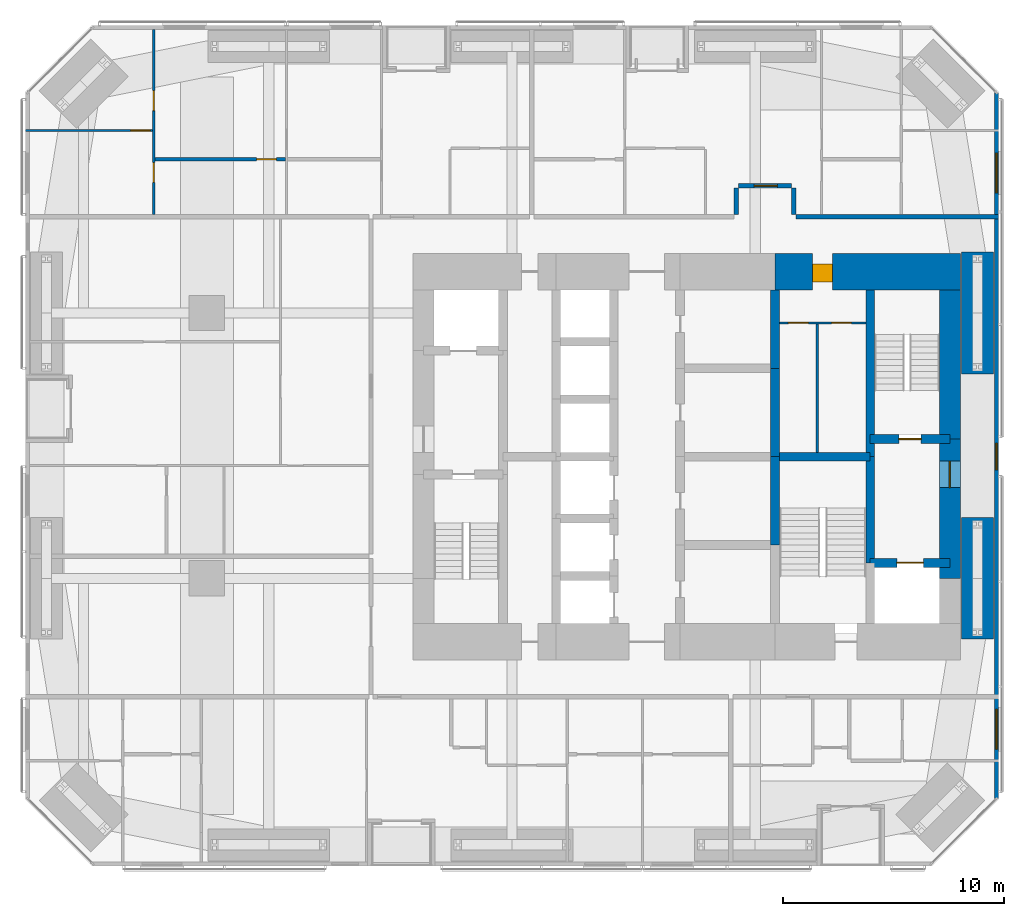
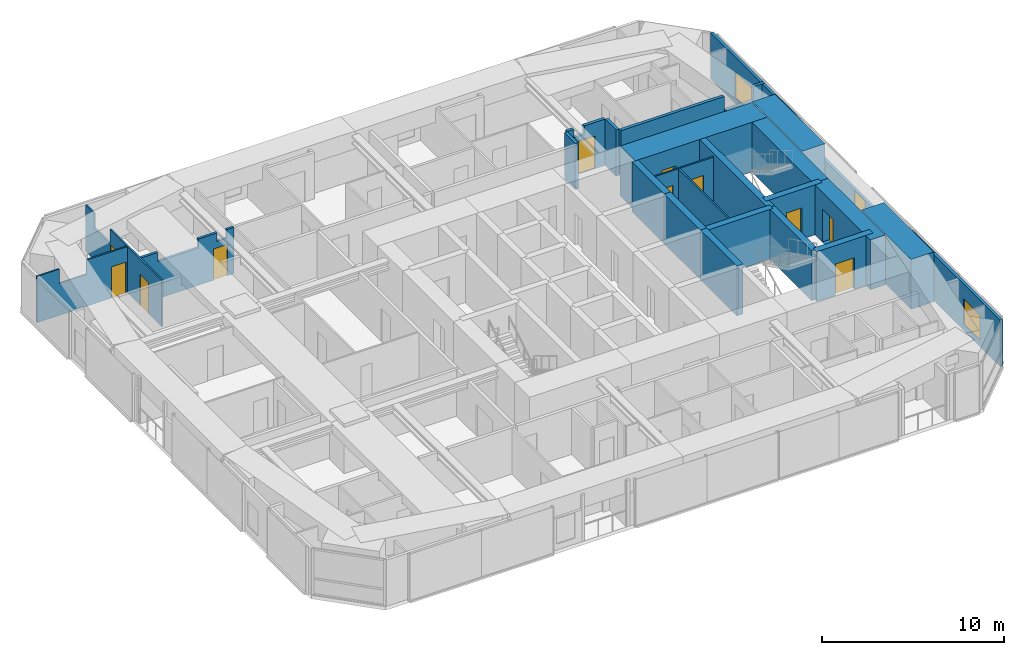
# One storey, part 19 of 22: 23 walls, 11 doors, 3 windows, 14 openings.
"""IFC4 building model written with IfcOpenShell, lengths in metres."""

from ifc_helpers import new_model, si_unit, direction, frame, frame_2d, origin, place, context, subcontext, project, spatial, polyline, rectangle, outline, extrude, material, layer, layer_set, constituent, constituent_set, type_object, element, fill, save


model = new_model("IFC4")

# Units and contexts
model_context = context("Model", 3, precision=1e-05, world=origin(), true_north=direction((0.0, 1.0)))
body_context = subcontext(model_context, "Body", "Model", "MODEL_VIEW")
ifc_project = project(units=[si_unit("LENGTHUNIT", "METRE"), si_unit("AREAUNIT", "SQUARE_METRE"), si_unit("VOLUMEUNIT", "CUBIC_METRE"), si_unit("PLANEANGLEUNIT", "RADIAN"), si_unit("MASSUNIT", "GRAM", prefix="KILO")], contexts=[model_context])

# Site, building, storey
site_placement = place(None, origin())
site = spatial("IfcSite", under=ifc_project, at=site_placement, CompositionType="ELEMENT")
building_placement = place(site_placement, origin())
building = spatial("IfcBuilding", under=site, at=building_placement, Name="Jalousie Tower", CompositionType="ELEMENT")
storey_placement = place(building_placement, frame((0.0, 0.0, 64.550048828125)))
storey = spatial("IfcBuildingStorey", under=building, at=storey_placement, Name="L17", CompositionType="ELEMENT", Elevation=64.550048828125)

# Wall, opening, door
ifc_material_1 = material(Name="Concrete block ASTM C90", Category="concrete")
ifc_constituent_1 = constituent(ifc_material_1, Name="Body")
ifc_material_2 = material(Name="Render")
ifc_constituent_2 = constituent(ifc_material_2, Name="Finish")
ifc_constituent_set_1 = constituent_set(constituents=[ifc_constituent_1, ifc_constituent_2])
wall_type_1 = type_object("IfcWallType", Name="BATHROOM WALL 150", PredefinedType="PLUMBINGWALL", material=ifc_constituent_set_1)
wall_1_placement = place(storey_placement, frame((7.85009765625, 31.949951171875, 0.0), z_axis=(0.0, 0.0, 1.0), x_axis=(1.0, 0.0, 0.0)))
wall_1 = element("IfcWall", 1, at=wall_1_placement, inside=storey, type_object=wall_type_1, Name="Bathroom Wall 150 L17", PredefinedType="PLUMBINGWALL", context=body_context, shape_type="SweptSolid", body=[
    extrude(outline(polyline([(0.0, 0.0), (5.89990234375, 0.0), (5.89990234375, 3.10986328125), (5.46240234375, 3.10986328125), (5.46240234375, 2.541015625), (4.837646484375, 2.541015625), (4.837646484375, 3.10986328125), (3.635009765625, 3.10986328125), (3.635009765625, 2.510009765625), (1.06494140625, 2.510009765625), (1.06494140625, 3.10986328125), (0.0, 3.10986328125), (0.0, 0.0)])), frame((0.0, 0.074951171875, 0.0), z_axis=(0.0, -1.0, 0.0), x_axis=(1.0, 0.0, 0.0)), (0.0, 0.0, 1.0), 0.14990234375),
])
opening_1_placement = place(wall_1_placement, frame((4.60009765625, 0.0, 0.0)))
opening_1 = element("IfcOpeningElement", 2, at=opening_1_placement, cuts=wall_1, Name="Opening D3", PredefinedType="OPENING", context=body_context, shape_type="SweptSolid", body=[
    extrude(rectangle(XDim=0.89990234375, YDim=2.10009765625, at=frame_2d((0.449951171875, 1.050048828125))), frame((0.0, 0.0849609375, 0.0), z_axis=(0.0, -1.0, 0.0), x_axis=(1.0, 0.0, 0.0)), (0.0, 0.0, 1.0), 0.169921875),
])
ifc_material_3 = material(Name="Timber door", Category="wood")
door_type_1 = type_object("IfcDoorType", Name="BATHROOM DOOR 900", OperationType="SINGLE_SWING_LEFT", PredefinedType="DOOR", material=ifc_material_3)
door_1_placement = place(opening_1_placement, frame((0.89990234375, 0.0, 0.0), z_axis=(0.0, 0.0, 1.0), x_axis=(-1.0, 0.0, 0.0)))
door_1 = element("IfcDoor", 3, at=door_1_placement, inside=storey, type_object=door_type_1, Name="Apartment 1703 bedroom 2 bathroom door", OperationType="SINGLE_SWING_LEFT", OverallHeight=2.10009765625, OverallWidth=0.89990234375, PredefinedType="DOOR", context=body_context, shape_type="SweptSolid", body=[
    extrude(rectangle(XDim=0.89990234375, YDim=2.10009765625, at=frame_2d((0.449951171875, 1.050048828125))), frame((0.0, 0.02490234375, 0.0), z_axis=(0.0, -1.0, 0.0), x_axis=(1.0, 0.0, 0.0)), (0.0, 0.0, 1.0), 0.050048828125),
])
fill(opening_1, door_1)

ifc_material_4 = material(Name="Concrete f'c 120 MPa", Category="concrete")
ifc_layer_1 = layer(ifc_material_4, 1.64990234375)
ifc_layer_set_1 = layer_set([ifc_layer_1], Name="Concrete f'c 120 MPa")
wall_type_2 = type_object("IfcWallType", Name="CORE WALL 1650", PredefinedType="SHEAR", material=ifc_layer_set_1)
wall_2_placement = place(storey_placement, frame((44.27490234375, 26.875, 0.0), z_axis=(0.0, 0.0, 1.0), x_axis=(-1.0, 0.0, 0.0)))
wall_2 = element("IfcWall", 4, at=wall_2_placement, inside=storey, type_object=wall_type_2, Name="Core wall NA L17", PredefinedType="SHEAR", context=body_context, shape_type="SweptSolid", body=[
    extrude(rectangle(XDim=8.375, YDim=1.64990234375, at=frame_2d((4.1875, 0.0))), origin(), (0.0, 0.0, 1.0), 3.349853515625),
])
opening_2_placement = place(wall_2_placement, frame((5.77490234375, 0.0, 0.0)))
opening_2 = element("IfcOpeningElement", 5, at=opening_2_placement, cuts=wall_2, Name="Opening D25", PredefinedType="OPENING", context=body_context, shape_type="SweptSolid", body=[
    extrude(rectangle(XDim=0.89990234375, YDim=2.10009765625, at=frame_2d((0.449951171875, 1.050048828125))), frame((0.0, 0.8349609375, 0.0), z_axis=(0.0, -1.0, 0.0), x_axis=(1.0, 0.0, 0.0)), (0.0, 0.0, 1.0), 1.669921875),
])
ifc_material_5 = material(Name="Steel fire door", Category="steel")
door_type_2 = type_object("IfcDoorType", Name="SERVICE LOBBY DOOR 900", OperationType="SINGLE_SWING_LEFT", PredefinedType="DOOR", material=ifc_material_5)
door_2_placement = place(opening_2_placement, origin())
door_2 = element("IfcDoor", 6, at=door_2_placement, inside=storey, type_object=door_type_2, Name="Service lobby door", OperationType="SINGLE_SWING_RIGHT", OverallHeight=2.10009765625, OverallWidth=0.89990234375, PredefinedType="DOOR", context=body_context, shape_type="SweptSolid", body=[
    extrude(rectangle(XDim=0.89990234375, YDim=2.10009765625, at=frame_2d((0.449951171875, 1.050048828125))), frame((0.0, 0.47021484375, 0.0), z_axis=(0.0, -1.0, 0.0), x_axis=(1.0, 0.0, 0.0)), (0.0, 0.0, 1.0), 0.800048828125),
])
fill(opening_2, door_2)

# Walls
ifc_material_6 = material(Name="Concrete f'c 120 MPa", Category="concrete")
ifc_layer_2 = layer(ifc_material_6, 0.39990234375)
ifc_layer_set_2 = layer_set([ifc_layer_2], Name="Concrete f'c 120 MPa")
wall_type_3 = type_object("IfcWallType", Name="CORE WALL 400", PredefinedType="SHEAR", material=ifc_layer_set_2)
for number, where, z_axis, x_axis, name in (
    (7, (35.89990234375, 14.5, 0.0), (0.0, 0.0, 1.0), (0.0, 1.0, 0.0), "Core wall X35.9B L17"),
    (8, (35.89990234375, 18.5, 0.0), (0.0, 0.0, 1.0), (0.0, 1.0, 0.0), "Core wall X35.9C L17"),
):
    element("IfcWall", number, at=place(storey_placement, frame(where, z_axis=z_axis, x_axis=x_axis)), inside=storey, type_object=wall_type_3, Name=name, PredefinedType="SHEAR", context=body_context, shape_type="SweptSolid", body=[
        extrude(rectangle(XDim=4.0, YDim=0.39990234375, at=frame_2d((2.0, 0.0))), origin(), (0.0, 0.0, 1.0), 3.349853515625),
    ])
wall_3_placement = place(storey_placement, frame((35.89990234375, 22.5, 0.0), z_axis=(0.0, 0.0, 1.0), x_axis=(0.0, 1.0, 0.0)))
element("IfcWall", 9, at=wall_3_placement, inside=storey, type_object=wall_type_3, Name="Core wall X35.9D L17", PredefinedType="SHEAR", context=body_context, shape_type="SweptSolid", body=[
    extrude(rectangle(XDim=3.550048828125, YDim=0.39990234375, at=frame_2d((1.77490234375, 0.0))), origin(), (0.0, 0.0, 1.0), 3.349853515625),
])
wall_4_placement = place(storey_placement, frame((40.199951171875, 13.699951171875, 0.0), z_axis=(0.0, 0.0, 1.0), x_axis=(0.0, 1.0, 0.0)))
element("IfcWall", 10, at=wall_4_placement, inside=storey, type_object=wall_type_3, Name="Core wall X40.2B L17", PredefinedType="SHEAR", context=body_context, shape_type="SweptSolid", body=[
    extrude(rectangle(XDim=4.800048828125, YDim=0.39990234375, at=frame_2d((2.39990234375, 0.0))), origin(), (0.0, 0.0, 1.0), 3.349853515625),
])
wall_5_placement = place(storey_placement, frame((40.199951171875, 18.5, 0.0), z_axis=(0.0, 0.0, 1.0), x_axis=(0.0, 1.0, 0.0)))
element("IfcWall", 11, at=wall_5_placement, inside=storey, type_object=wall_type_3, Name="Core wall X40.2C L17", PredefinedType="SHEAR", context=body_context, shape_type="SweptSolid", body=[
    extrude(rectangle(XDim=7.550048828125, YDim=0.39990234375, at=frame_2d((3.77490234375, 0.0))), origin(), (0.0, 0.0, 1.0), 3.349853515625),
])
wall_6_placement = place(storey_placement, frame((35.89990234375, 18.5, 0.0), z_axis=(0.0, 0.0, 1.0), x_axis=(1.0, 0.0, 0.0)))
element("IfcWall", 12, at=wall_6_placement, inside=storey, type_object=wall_type_3, Name="Core wall Y35.9-18.5 L17", PredefinedType="SHEAR", context=body_context, shape_type="SweptSolid", body=[
    extrude(rectangle(XDim=4.300048828125, YDim=0.39990234375, at=frame_2d((2.14990234375, 0.0))), origin(), (0.0, 0.0, 1.0), 3.349853515625),
])

# Wall, opening, door
wall_7_placement = place(storey_placement, frame((40.199951171875, 13.699951171875, 0.0), z_axis=(0.0, 0.0, 1.0), x_axis=(1.0, 0.0, 0.0)))
wall_7 = element("IfcWall", 13, at=wall_7_placement, inside=storey, type_object=wall_type_3, Name="Core wall Y40.2-13.7 L17", PredefinedType="SHEAR", context=body_context, shape_type="SweptSolid", body=[
    extrude(rectangle(XDim=3.60009765625, YDim=0.39990234375, at=frame_2d((1.800048828125, 0.0))), origin(), (0.0, 0.0, 1.0), 3.349853515625),
])
opening_3_placement = place(wall_7_placement, frame((1.199951171875, 0.0, 0.0)))
opening_3 = element("IfcOpeningElement", 14, at=opening_3_placement, cuts=wall_7, Name="Opening LD2", PredefinedType="OPENING", context=body_context, shape_type="SweptSolid", body=[
    extrude(rectangle(XDim=1.199951171875, YDim=2.10009765625, at=frame_2d((0.60009765625, 1.050048828125))), frame((0.0, 0.2099609375, 0.0), z_axis=(0.0, -1.0, 0.0), x_axis=(1.0, 0.0, 0.0)), (0.0, 0.0, 1.0), 0.419921875),
])
ifc_material_7 = material(Name="Steel lift landing door", Category="steel")
door_type_3 = type_object("IfcDoorType", Name="LIFT LANDING DOOR 1200", OperationType="SLIDING_TO_LEFT", PredefinedType="DOOR", material=ifc_material_7)
door_3_placement = place(opening_3_placement, origin())
door_3 = element("IfcDoor", 15, at=door_3_placement, inside=storey, type_object=door_type_3, Name="Lift F2 landing door", OperationType="SLIDING_TO_LEFT", OverallHeight=2.10009765625, OverallWidth=1.199951171875, PredefinedType="DOOR", context=body_context, shape_type="SweptSolid", body=[
    extrude(rectangle(XDim=1.199951171875, YDim=2.10009765625, at=frame_2d((0.60009765625, 1.050048828125))), frame((0.0, 0.02490234375, 0.0), z_axis=(0.0, -1.0, 0.0), x_axis=(1.0, 0.0, 0.0)), (0.0, 0.0, 1.0), 0.050048828125),
])
fill(opening_3, door_3)

wall_8_placement = place(storey_placement, frame((40.199951171875, 19.300048828125, 0.0), z_axis=(0.0, 0.0, 1.0), x_axis=(1.0, 0.0, 0.0)))
wall_8 = element("IfcWall", 16, at=wall_8_placement, inside=storey, type_object=wall_type_3, Name="Core wall Y40.2-19.3 L17", PredefinedType="SHEAR", context=body_context, shape_type="SweptSolid", body=[
    extrude(rectangle(XDim=3.60009765625, YDim=0.39990234375, at=frame_2d((1.800048828125, 0.0))), origin(), (0.0, 0.0, 1.0), 3.349853515625),
])
opening_4_placement = place(wall_8_placement, frame((1.300048828125, 0.0, 0.0)))
opening_4 = element("IfcOpeningElement", 17, at=opening_4_placement, cuts=wall_8, Name="Opening D10", PredefinedType="OPENING", context=body_context, shape_type="SweptSolid", body=[
    extrude(rectangle(XDim=1.0, YDim=2.10009765625, at=frame_2d((0.5, 1.050048828125))), frame((0.0, 0.2099609375, 0.0), z_axis=(0.0, -1.0, 0.0), x_axis=(1.0, 0.0, 0.0)), (0.0, 0.0, 1.0), 0.419921875),
])
ifc_material_8 = material(Name="Steel fire door", Category="steel")
door_type_4 = type_object("IfcDoorType", Name="STAIR DOOR 1000", OperationType="SINGLE_SWING_LEFT", PredefinedType="DOOR", material=ifc_material_8)
door_4_placement = place(opening_4_placement, origin())
door_4 = element("IfcDoor", 18, at=door_4_placement, inside=storey, type_object=door_type_4, Name="Exit stair B door", OperationType="SINGLE_SWING_RIGHT", OverallHeight=2.10009765625, OverallWidth=1.0, PredefinedType="DOOR", context=body_context, shape_type="SweptSolid", body=[
    extrude(rectangle(XDim=1.0, YDim=2.10009765625, at=frame_2d((0.5, 1.050048828125))), frame((0.0, 0.02490234375, 0.0), z_axis=(0.0, -1.0, 0.0), x_axis=(1.0, 0.0, 0.0)), (0.0, 0.0, 1.0), 0.050048828125),
])
fill(opening_4, door_4)

ifc_material_9 = material(Name="Concrete f'c 120 MPa", Category="concrete")
ifc_layer_3 = layer(ifc_material_9, 0.949951171875)
ifc_layer_set_3 = layer_set([ifc_layer_3], Name="Concrete f'c 120 MPa")
wall_type_4 = type_object("IfcWallType", Name="CORE WALL 950", PredefinedType="SHEAR", material=ifc_layer_set_3)
wall_9_placement = place(storey_placement, frame((43.800048828125, 13.0, 0.0), z_axis=(0.0, 0.0, 1.0), x_axis=(0.0, 1.0, 0.0)))
wall_9 = element("IfcWall", 19, at=wall_9_placement, inside=storey, type_object=wall_type_4, Name="Core wall EB L17", PredefinedType="SHEAR", context=body_context, shape_type="SweptSolid", body=[
    extrude(rectangle(XDim=6.300048828125, YDim=0.949951171875, at=frame_2d((3.14990234375, 0.0))), origin(), (0.0, 0.0, 1.0), 3.349853515625),
])
opening_5_placement = place(wall_9_placement, frame((4.10009765625, 0.0, 0.0)))
opening_5 = element("IfcOpeningElement", 20, at=opening_5_placement, cuts=wall_9, Name="Opening D11", PredefinedType="OPENING", context=body_context, shape_type="SweptSolid", body=[
    extrude(rectangle(XDim=1.199951171875, YDim=2.199951171875, at=frame_2d((0.60009765625, 1.10009765625))), frame((0.0, 0.48486328125, 0.0), z_axis=(0.0, -1.0, 0.0), x_axis=(1.0, 0.0, 0.0)), (0.0, 0.0, 1.0), 0.969970703125),
])
ifc_material_10 = material(Name="Steel fire door", Category="steel")
door_type_5 = type_object("IfcDoorType", Name="FIRE DOOR 1200", OperationType="SINGLE_SWING_LEFT", PredefinedType="DOOR", material=ifc_material_10)
door_5_placement = place(opening_5_placement, origin())
door_5 = element("IfcDoor", 21, at=door_5_placement, inside=storey, type_object=door_type_5, Name="Fire-fighting lobby B door", OperationType="SINGLE_SWING_RIGHT", OverallHeight=2.199951171875, OverallWidth=1.199951171875, PredefinedType="DOOR", context=body_context, shape_type="SweptSolid", body=[
    extrude(rectangle(XDim=1.199951171875, YDim=2.199951171875, at=frame_2d((0.60009765625, 1.10009765625))), frame((0.0, 0.02490234375, 0.0), z_axis=(0.0, -1.0, 0.0), x_axis=(1.0, 0.0, 0.0)), (0.0, 0.0, 1.0), 0.050048828125),
])
fill(opening_5, door_5)

# Walls
wall_10_placement = place(storey_placement, frame((43.800048828125, 19.300048828125, 0.0), z_axis=(0.0, 0.0, 1.0), x_axis=(0.0, 1.0, 0.0)))
element("IfcWall", 22, at=wall_10_placement, inside=storey, type_object=wall_type_4, Name="Core wall EC L17", PredefinedType="SHEAR", context=body_context, shape_type="SweptSolid", body=[
    extrude(rectangle(XDim=6.75, YDim=0.949951171875, at=frame_2d((3.375, 0.0))), origin(), (0.0, 0.0, 1.0), 3.349853515625),
])
ifc_material_11 = material(Name="Concrete block ASTM C90", Category="concrete")
ifc_constituent_3 = constituent(ifc_material_11, Name="Body")
ifc_material_12 = material(Name="Render")
ifc_constituent_4 = constituent(ifc_material_12, Name="Finish")
ifc_constituent_set_2 = constituent_set(constituents=[ifc_constituent_3, ifc_constituent_4])
wall_type_5 = type_object("IfcWallType", Name="CORRIDOR WALL 200", PredefinedType="PARTITIONING", material=ifc_constituent_set_2)
wall_11_placement = place(storey_placement, frame((36.85009765625, 29.35009765625, 0.0), z_axis=(0.0, 0.0, 1.0), x_axis=(1.0, 0.0, 0.0)))
element("IfcWall", 23, at=wall_11_placement, inside=storey, type_object=wall_type_5, Name="Corridor Wall 200 L17", PredefinedType="PARTITIONING", context=body_context, shape_type="SweptSolid", body=[
    extrude(outline(polyline([(0.0, 0.0), (9.14990234375, 0.0), (9.14990234375, 3.10986328125), (8.41650390625, 3.10986328125), (8.41650390625, 2.14990234375), (6.57275390625, 2.14990234375), (6.57275390625, 3.10986328125), (0.0, 3.10986328125), (0.0, 0.0)])), frame((0.0, 0.10009765625, 0.0), z_axis=(0.0, -1.0, 0.0), x_axis=(1.0, 0.0, 0.0)), (0.0, 0.0, 1.0), 0.199951171875),
])

# Wall, opening, door
wall_12_placement = place(storey_placement, frame((34.25, 30.75, 0.0), z_axis=(0.0, 0.0, 1.0), x_axis=(1.0, 0.0, 0.0)))
wall_12 = element("IfcWall", 24, at=wall_12_placement, inside=storey, type_object=wall_type_5, Name="Corridor Wall 200 L17", PredefinedType="PARTITIONING", context=body_context, shape_type="SweptSolid", body=[
    extrude(outline(polyline([(0.0, 0.0), (2.39990234375, 0.0), (2.39990234375, 3.10986328125), (1.08740234375, 3.10986328125), (1.08740234375, 2.541015625), (0.41259765625, 2.541015625), (0.41259765625, 3.10986328125), (0.0, 3.10986328125), (0.0, 0.0)])), frame((0.0, 0.10009765625, 0.0), z_axis=(0.0, -1.0, 0.0), x_axis=(1.0, 0.0, 0.0)), (0.0, 0.0, 1.0), 0.199951171875),
])
opening_6_placement = place(wall_12_placement, frame((0.699951171875, 0.0, 0.0)))
opening_6 = element("IfcOpeningElement", 25, at=opening_6_placement, cuts=wall_12, Name="Opening D1", PredefinedType="OPENING", context=body_context, shape_type="SweptSolid", body=[
    extrude(rectangle(XDim=1.050048828125, YDim=2.199951171875, at=frame_2d((0.52490234375, 1.10009765625))), frame((0.0, 0.10986328125, 0.0), z_axis=(0.0, -1.0, 0.0), x_axis=(1.0, 0.0, 0.0)), (0.0, 0.0, 1.0), 0.219970703125),
])
ifc_material_13 = material(Name="Timber fire door", Category="wood")
door_type_6 = type_object("IfcDoorType", Name="APARTMENT ENTRANCE DOOR 1050", OperationType="SINGLE_SWING_LEFT", PredefinedType="DOOR", material=ifc_material_13)
door_6_placement = place(opening_6_placement, origin())
door_6 = element("IfcDoor", 26, at=door_6_placement, inside=storey, type_object=door_type_6, Name="Apartment 1704 entrance", OperationType="SINGLE_SWING_RIGHT", OverallHeight=2.199951171875, OverallWidth=1.050048828125, PredefinedType="DOOR", context=body_context, shape_type="SweptSolid", body=[
    extrude(rectangle(XDim=1.050048828125, YDim=2.199951171875, at=frame_2d((0.52490234375, 1.10009765625))), frame((0.0, 0.02490234375, 0.0), z_axis=(0.0, -1.0, 0.0), x_axis=(1.0, 0.0, 0.0)), (0.0, 0.0, 1.0), 0.050048828125),
])
fill(opening_6, door_6)

# Walls
for number, where, z_axis, x_axis, name in (
    (27, (34.14990234375, 29.449951171875, 0.0), (0.0, 0.0, 1.0), (0.0, 1.0, 0.0), "Corridor Wall 200 L17"),
    (28, (36.75, 29.449951171875, 0.0), (0.0, 0.0, 1.0), (0.0, 1.0, 0.0), "Corridor Wall 200 L17"),
):
    element("IfcWall", number, at=place(storey_placement, frame(where, z_axis=z_axis, x_axis=x_axis)), inside=storey, type_object=wall_type_5, Name=name, PredefinedType="PARTITIONING", context=body_context, shape_type="SweptSolid", body=[
        extrude(rectangle(XDim=1.199951171875, YDim=0.199951171875, at=frame_2d((0.60009765625, 0.0))), origin(), (0.0, 0.0, 1.0), 3.10986328125),
    ])

# Wall, openings, windows
ifc_material_14 = material(Name="Concrete f'c 40 MPa", Category="concrete")
ifc_constituent_5 = constituent(ifc_material_14, Name="Body")
ifc_material_15 = material(Name="Render, pastel coral")
ifc_constituent_6 = constituent(ifc_material_15, Name="Finish")
ifc_constituent_set_3 = constituent_set(constituents=[ifc_constituent_5, ifc_constituent_6])
wall_type_6 = type_object("IfcWallType", Name="EXTERNAL WALL 175 CORAL RENDER", PredefinedType="SOLIDWALL", material=ifc_constituent_set_3)
wall_13_placement = place(storey_placement, frame((45.91259765625, 3.05126953125, 0.0), z_axis=(0.0, 0.0, 1.0), x_axis=(0.0, 1.0, 0.0)))
wall_13 = element("IfcWall", 29, at=wall_13_placement, inside=storey, type_object=wall_type_6, Name="External Wall 175 Coral Render L17", PredefinedType="SOLIDWALL", context=body_context, shape_type="SweptSolid", body=[
    extrude(outline(polyline([(0.0, 0.0), (31.8974609375, 0.0), (31.8974609375, 3.10986328125), (22.167236328125, 3.10986328125), (22.167236328125, 2.14990234375), (22.074462890625, 2.14990234375), (22.074462890625, 3.10986328125), (21.94873046875, 3.10986328125), (21.94873046875, 2.14990234375), (9.94873046875, 2.14990234375), (9.94873046875, 3.10986328125), (9.822998046875, 3.10986328125), (9.822998046875, 2.14990234375), (9.72998046875, 2.14990234375), (9.72998046875, 3.10986328125), (0.0, 3.10986328125), (0.0, 0.0)])), frame((0.0, 0.08740234375, 0.0), z_axis=(0.0, -1.0, 0.0), x_axis=(1.0, 0.0, 0.0)), (0.0, 0.0, 1.0), 0.175048828125),
])
opening_7_placement = place(wall_13_placement, frame((2.22216796875, 0.0, 0.39990234375)))
opening_7 = element("IfcOpeningElement", 30, at=opening_7_placement, cuts=wall_13, Name="Opening W-BED170", PredefinedType="OPENING", context=body_context, shape_type="SweptSolid", body=[
    extrude(rectangle(XDim=1.800048828125, YDim=1.699951171875, at=frame_2d((0.89990234375, 0.85009765625))), frame((0.0, 0.097412109375, 0.0), z_axis=(0.0, -1.0, 0.0), x_axis=(1.0, 0.0, 0.0)), (0.0, 0.0, 1.0), 0.195068359375),
])
opening_8_placement = place(wall_13_placement, frame((14.8486328125, 0.0, 0.39990234375)))
opening_8 = element("IfcOpeningElement", 31, at=opening_8_placement, cuts=wall_13, Name="Opening W-COR170", PredefinedType="OPENING", context=body_context, shape_type="SweptSolid", body=[
    extrude(rectangle(XDim=1.199951171875, YDim=1.699951171875, at=frame_2d((0.60009765625, 0.85009765625))), frame((0.0, 0.097412109375, 0.0), z_axis=(0.0, -1.0, 0.0), x_axis=(1.0, 0.0, 0.0)), (0.0, 0.0, 1.0), 0.195068359375),
])
opening_9_placement = place(wall_13_placement, frame((27.37548828125, 0.0, 0.39990234375)))
opening_9 = element("IfcOpeningElement", 32, at=opening_9_placement, cuts=wall_13, Name="Opening W-BED170", PredefinedType="OPENING", context=body_context, shape_type="SweptSolid", body=[
    extrude(rectangle(XDim=1.800048828125, YDim=1.699951171875, at=frame_2d((0.89990234375, 0.85009765625))), frame((0.0, 0.097412109375, 0.0), z_axis=(0.0, -1.0, 0.0), x_axis=(1.0, 0.0, 0.0)), (0.0, 0.0, 1.0), 0.195068359375),
])
ifc_material_16 = material(Name="Aluminium frame, impact-rated glazing", Category="aluminium")
window_type_1 = type_object("IfcWindowType", Name="WINDOW BED 1800x1700", PartitioningType="SINGLE_PANEL", PredefinedType="WINDOW", material=ifc_material_16)
window_1_placement = place(opening_7_placement, origin())
window_1 = element("IfcWindow", 33, at=window_1_placement, inside=storey, type_object=window_type_1, Name="Apartment 1702 bedroom 1 window", OverallHeight=1.699951171875, OverallWidth=1.800048828125, PartitioningType="SINGLE_PANEL", PredefinedType="WINDOW", context=body_context, shape_type="SweptSolid", body=[
    extrude(rectangle(XDim=1.800048828125, YDim=1.699951171875, at=frame_2d((0.89990234375, 0.85009765625))), frame((0.0, 0.030029296875, 0.0), z_axis=(0.0, -1.0, 0.0), x_axis=(1.0, 0.0, 0.0)), (0.0, 0.0, 1.0), 0.06005859375),
])
fill(opening_7, window_1)
window_2_placement = place(opening_9_placement, origin())
window_2 = element("IfcWindow", 34, at=window_2_placement, inside=storey, type_object=window_type_1, Name="Apartment 1704 bedroom 3 window", OverallHeight=1.699951171875, OverallWidth=1.800048828125, PartitioningType="SINGLE_PANEL", PredefinedType="WINDOW", context=body_context, shape_type="SweptSolid", body=[
    extrude(rectangle(XDim=1.800048828125, YDim=1.699951171875, at=frame_2d((0.89990234375, 0.85009765625))), frame((0.0, 0.030029296875, 0.0), z_axis=(0.0, -1.0, 0.0), x_axis=(1.0, 0.0, 0.0)), (0.0, 0.0, 1.0), 0.06005859375),
])
fill(opening_9, window_2)
ifc_material_17 = material(Name="Aluminium frame, impact-rated glazing", Category="aluminium")
window_type_2 = type_object("IfcWindowType", Name="WINDOW COR 1200x1700", PartitioningType="SINGLE_PANEL", PredefinedType="WINDOW", material=ifc_material_17)
window_3_placement = place(opening_8_placement, origin())
window_3 = element("IfcWindow", 35, at=window_3_placement, inside=storey, type_object=window_type_2, Name="Corridor window", OverallHeight=1.699951171875, OverallWidth=1.199951171875, PartitioningType="SINGLE_PANEL", PredefinedType="WINDOW", context=body_context, shape_type="SweptSolid", body=[
    extrude(rectangle(XDim=1.199951171875, YDim=1.699951171875, at=frame_2d((0.60009765625, 0.85009765625))), frame((0.0, 0.030029296875, 0.0), z_axis=(0.0, -1.0, 0.0), x_axis=(1.0, 0.0, 0.0)), (0.0, 0.0, 1.0), 0.06005859375),
])
fill(opening_8, window_3)

# Wall, openings, doors
ifc_material_18 = material(Name="Gypsum board", Category="gypsum")
ifc_constituent_7 = constituent(ifc_material_18, Name="Body")
ifc_material_19 = material(Name="Light-gauge steel studs ASTM A653 SS Grade 33", Category="steel")
ifc_constituent_8 = constituent(ifc_material_19, Name="Framing")
ifc_constituent_set_4 = constituent_set(constituents=[ifc_constituent_7, ifc_constituent_8])
wall_type_7 = type_object("IfcWallType", Name="PARTITION 100", PredefinedType="PARTITIONING", material=ifc_constituent_set_4)
wall_14_placement = place(storey_placement, frame((7.800048828125, 37.824951171875, 0.0), z_axis=(0.0, 0.0, 1.0), x_axis=(0.0, -1.0, 0.0)))
wall_14 = element("IfcWall", 36, at=wall_14_placement, inside=storey, type_object=wall_type_7, Name="Partition 100 L17", PredefinedType="PARTITIONING", context=body_context, shape_type="SweptSolid", body=[
    extrude(outline(polyline([(0.0, 0.0), (8.375, 0.0), (8.375, 3.10986328125), (2.697021484375, 3.10986328125), (2.697021484375, 2.14990234375), (0.942626953125, 2.14990234375), (0.942626953125, 3.10986328125), (0.0, 3.10986328125), (0.0, 0.0)])), frame((0.0, 0.050048828125, 0.0), z_axis=(0.0, -1.0, 0.0), x_axis=(1.0, 0.0, 0.0)), (0.0, 0.0, 1.0), 0.10009765625),
])
opening_10_placement = place(wall_14_placement, frame((2.771728515625, 0.0, 0.0)))
opening_10 = element("IfcOpeningElement", 37, at=opening_10_placement, cuts=wall_14, Name="Opening D2", PredefinedType="OPENING", context=body_context, shape_type="SweptSolid", body=[
    extrude(rectangle(XDim=0.89990234375, YDim=2.10009765625, at=frame_2d((0.449951171875, 1.050048828125))), frame((0.0, 0.06005859375, 0.0), z_axis=(0.0, -1.0, 0.0), x_axis=(1.0, 0.0, 0.0)), (0.0, 0.0, 1.0), 0.1201171875),
])
opening_11_placement = place(wall_14_placement, frame((6.023193359375, 0.0, 0.0)))
opening_11 = element("IfcOpeningElement", 38, at=opening_11_placement, cuts=wall_14, Name="Opening D3", PredefinedType="OPENING", context=body_context, shape_type="SweptSolid", body=[
    extrude(rectangle(XDim=0.89990234375, YDim=2.10009765625, at=frame_2d((0.449951171875, 1.050048828125))), frame((0.0, 0.06005859375, 0.0), z_axis=(0.0, -1.0, 0.0), x_axis=(1.0, 0.0, 0.0)), (0.0, 0.0, 1.0), 0.1201171875),
])
door_7_placement = place(opening_11_placement, origin())
door_7 = element("IfcDoor", 39, at=door_7_placement, inside=storey, type_object=door_type_1, Name="Apartment 1703 bedroom 1 bathroom door", OperationType="SINGLE_SWING_LEFT", OverallHeight=2.10009765625, OverallWidth=0.89990234375, PredefinedType="DOOR", context=body_context, shape_type="SweptSolid", body=[
    extrude(rectangle(XDim=0.89990234375, YDim=2.10009765625, at=frame_2d((0.449951171875, 1.050048828125))), frame((0.0, 0.02490234375, 0.0), z_axis=(0.0, -1.0, 0.0), x_axis=(1.0, 0.0, 0.0)), (0.0, 0.0, 1.0), 0.050048828125),
])
fill(opening_11, door_7)
ifc_material_20 = material(Name="Timber door", Category="wood")
door_type_7 = type_object("IfcDoorType", Name="BEDROOM DOOR 900", OperationType="SINGLE_SWING_LEFT", PredefinedType="DOOR", material=ifc_material_20)
door_8_placement = place(opening_10_placement, origin())
door_8 = element("IfcDoor", 40, at=door_8_placement, inside=storey, type_object=door_type_7, Name="Apartment 1703 bedroom 1 door", OperationType="SINGLE_SWING_RIGHT", OverallHeight=2.10009765625, OverallWidth=0.89990234375, PredefinedType="DOOR", context=body_context, shape_type="SweptSolid", body=[
    extrude(rectangle(XDim=0.89990234375, YDim=2.10009765625, at=frame_2d((0.449951171875, 1.050048828125))), frame((0.0, 0.02490234375, 0.0), z_axis=(0.0, -1.0, 0.0), x_axis=(1.0, 0.0, 0.0)), (0.0, 0.0, 1.0), 0.050048828125),
])
fill(opening_10, door_8)

# Wall, opening, door
wall_15_placement = place(storey_placement, frame((2.0, 33.25341796875, 0.0), z_axis=(0.0, 0.0, 1.0), x_axis=(1.0, 0.0, 0.0)))
wall_15 = element("IfcWall", 41, at=wall_15_placement, inside=storey, type_object=wall_type_7, Name="Partition 100 L17", PredefinedType="PARTITIONING", context=body_context, shape_type="SweptSolid", body=[
    extrude(outline(polyline([(0.0, 0.0), (5.75, 0.0), (5.75, 3.10986328125), (3.15966796875, 3.10986328125), (3.15966796875, 2.14990234375), (1.4169921875, 2.14990234375), (1.4169921875, 3.10986328125), (0.0, 3.10986328125), (0.0, 0.0)])), frame((0.0, 0.050048828125, 0.0), z_axis=(0.0, -1.0, 0.0), x_axis=(1.0, 0.0, 0.0)), (0.0, 0.0, 1.0), 0.10009765625),
])
opening_12_placement = place(wall_15_placement, frame((4.75, 0.0, 0.0)))
opening_12 = element("IfcOpeningElement", 42, at=opening_12_placement, cuts=wall_15, Name="Opening D7", PredefinedType="OPENING", context=body_context, shape_type="SweptSolid", body=[
    extrude(rectangle(XDim=0.89990234375, YDim=2.10009765625, at=frame_2d((0.449951171875, 1.050048828125))), frame((0.0, 0.06005859375, 0.0), z_axis=(0.0, -1.0, 0.0), x_axis=(1.0, 0.0, 0.0)), (0.0, 0.0, 1.0), 0.1201171875),
])
ifc_material_21 = material(Name="Timber door", Category="wood")
door_type_8 = type_object("IfcDoorType", Name="INTERNAL DOOR 900", OperationType="SINGLE_SWING_LEFT", PredefinedType="DOOR", material=ifc_material_21)
door_9_placement = place(opening_12_placement, frame((0.89990234375, 0.0, 0.0), z_axis=(0.0, 0.0, 1.0), x_axis=(-1.0, 0.0, 0.0)))
door_9 = element("IfcDoor", 43, at=door_9_placement, inside=storey, type_object=door_type_8, Name="Apartment 1703 bedroom 1 dressing hall door", OperationType="SINGLE_SWING_LEFT", OverallHeight=2.10009765625, OverallWidth=0.89990234375, PredefinedType="DOOR", context=body_context, shape_type="SweptSolid", body=[
    extrude(rectangle(XDim=0.89990234375, YDim=2.10009765625, at=frame_2d((0.449951171875, 1.050048828125))), frame((0.0, 0.02490234375, 0.0), z_axis=(0.0, -1.0, 0.0), x_axis=(1.0, 0.0, 0.0)), (0.0, 0.0, 1.0), 0.050048828125),
])
fill(opening_12, door_9)

# Wall, openings, doors
wall_16_placement = place(storey_placement, frame((36.10009765625, 24.550048828125, 0.0), z_axis=(0.0, 0.0, 1.0), x_axis=(1.0, 0.0, 0.0)))
wall_16 = element("IfcWall", 44, at=wall_16_placement, inside=storey, type_object=wall_type_7, Name="Partition 100 L17", PredefinedType="PARTITIONING", context=body_context, shape_type="SweptSolid", body=[
    extrude(rectangle(XDim=3.89990234375, YDim=0.10009765625, at=frame_2d((1.949951171875, 0.0))), origin(), (0.0, 0.0, 1.0), 3.10986328125),
])
opening_13_placement = place(wall_16_placement, frame((0.39990234375, 0.0, 0.0)))
opening_13 = element("IfcOpeningElement", 45, at=opening_13_placement, cuts=wall_16, Name="Opening D7", PredefinedType="OPENING", context=body_context, shape_type="SweptSolid", body=[
    extrude(rectangle(XDim=0.89990234375, YDim=2.10009765625, at=frame_2d((0.449951171875, 1.050048828125))), frame((0.0, 0.06005859375, 0.0), z_axis=(0.0, -1.0, 0.0), x_axis=(1.0, 0.0, 0.0)), (0.0, 0.0, 1.0), 0.1201171875),
])
opening_14_placement = place(wall_16_placement, frame((2.35009765625, 0.0, 0.0)))
opening_14 = element("IfcOpeningElement", 46, at=opening_14_placement, cuts=wall_16, Name="Opening D7", PredefinedType="OPENING", context=body_context, shape_type="SweptSolid", body=[
    extrude(rectangle(XDim=0.89990234375, YDim=2.10009765625, at=frame_2d((0.449951171875, 1.050048828125))), frame((0.0, 0.06005859375, 0.0), z_axis=(0.0, -1.0, 0.0), x_axis=(1.0, 0.0, 0.0)), (0.0, 0.0, 1.0), 0.1201171875),
])
door_10_placement = place(opening_13_placement, frame((0.89990234375, 0.0, 0.0), z_axis=(0.0, 0.0, 1.0), x_axis=(-1.0, 0.0, 0.0)))
door_10 = element("IfcDoor", 47, at=door_10_placement, inside=storey, type_object=door_type_8, Name="Staff WC door", OperationType="SINGLE_SWING_LEFT", OverallHeight=2.10009765625, OverallWidth=0.89990234375, PredefinedType="DOOR", context=body_context, shape_type="SweptSolid", body=[
    extrude(rectangle(XDim=0.89990234375, YDim=2.10009765625, at=frame_2d((0.449951171875, 1.050048828125))), frame((0.0, 0.02490234375, 0.0), z_axis=(0.0, -1.0, 0.0), x_axis=(1.0, 0.0, 0.0)), (0.0, 0.0, 1.0), 0.050048828125),
])
fill(opening_13, door_10)
door_11_placement = place(opening_14_placement, frame((0.89990234375, 0.0, 0.0), z_axis=(0.0, 0.0, 1.0), x_axis=(-1.0, 0.0, 0.0)))
door_11 = element("IfcDoor", 48, at=door_11_placement, inside=storey, type_object=door_type_8, Name="Pantry door", OperationType="SINGLE_SWING_RIGHT", OverallHeight=2.10009765625, OverallWidth=0.89990234375, PredefinedType="DOOR", context=body_context, shape_type="SweptSolid", body=[
    extrude(rectangle(XDim=0.89990234375, YDim=2.10009765625, at=frame_2d((0.449951171875, 1.050048828125))), frame((0.0, 0.02490234375, 0.0), z_axis=(0.0, -1.0, 0.0), x_axis=(1.0, 0.0, 0.0)), (0.0, 0.0, 1.0), 0.050048828125),
])
fill(opening_14, door_11)

# Walls
wall_17_placement = place(storey_placement, frame((37.800048828125, 18.699951171875, 0.0), z_axis=(0.0, 0.0, 1.0), x_axis=(0.0, 1.0, 0.0)))
element("IfcWall", 49, at=wall_17_placement, inside=storey, type_object=wall_type_7, Name="Partition 100 L17", PredefinedType="PARTITIONING", context=body_context, shape_type="SweptSolid", body=[
    extrude(rectangle(XDim=5.800048828125, YDim=0.10009765625, at=frame_2d((2.89990234375, 0.0))), origin(), (0.0, 0.0, 1.0), 3.10986328125),
])
ifc_material_22 = material(Name="Concrete f'c 120 MPa", Category="concrete")
ifc_layer_4 = layer(ifc_material_22, 1.449951171875)
ifc_layer_set_4 = layer_set([ifc_layer_4], Name="Concrete f'c 120 MPa")
wall_type_8 = type_object("IfcWallType", Name="RC WALL PIER 1450", PredefinedType="SHEAR", material=ifc_layer_set_4)
for number, where, z_axis, x_axis, name in (
    (50, (45.050048828125, 10.25, 0.0), (0.0, 0.0, 1.0), (0.0, 1.0, 0.0), "Wall pier 06 L17"),
    (51, (45.050048828125, 22.25, 0.0), (0.0, 0.0, 1.0), (0.0, 1.0, 0.0), "Wall pier 07 L17"),
):
    element("IfcWall", number, at=place(storey_placement, frame(where, z_axis=z_axis, x_axis=x_axis)), inside=storey, type_object=wall_type_8, Name=name, PredefinedType="SHEAR", context=body_context, shape_type="SweptSolid", body=[
        extrude(rectangle(XDim=5.5, YDim=1.449951171875, at=frame_2d((2.75, 0.0))), origin(), (0.0, 0.0, 1.0), 3.349853515625),
    ])

save(model, "model.ifc")
